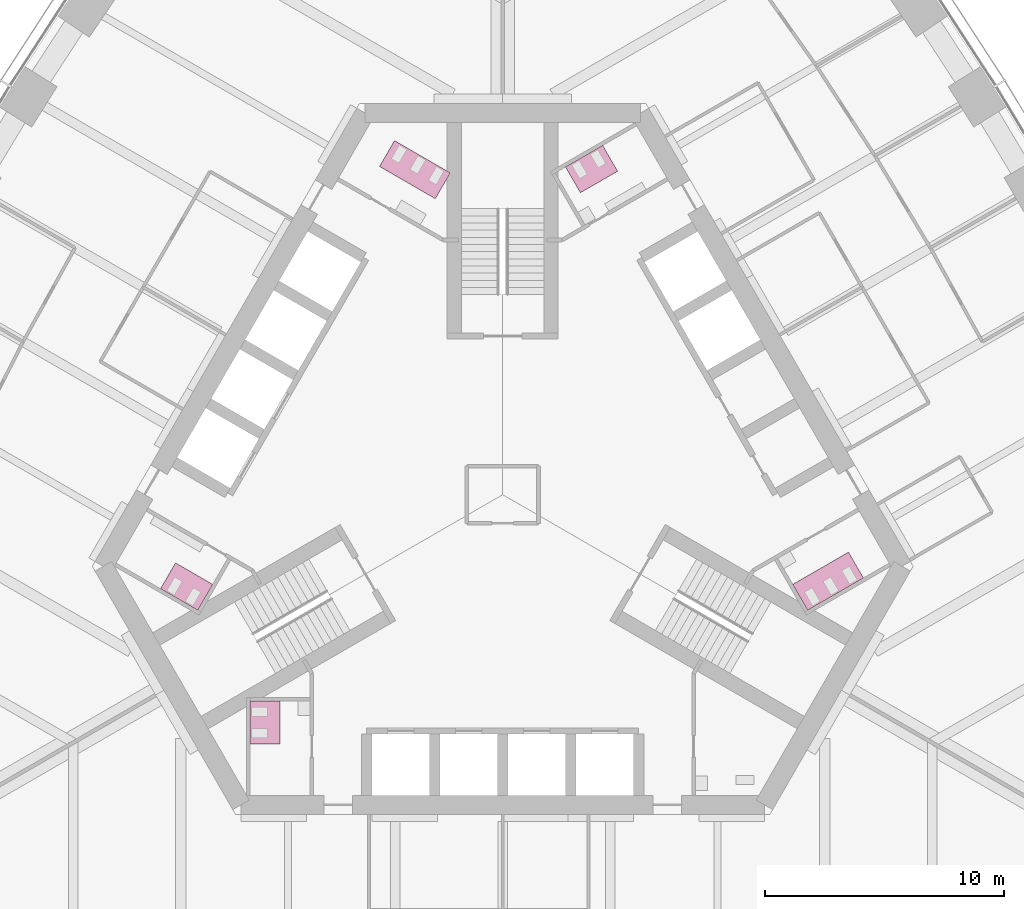
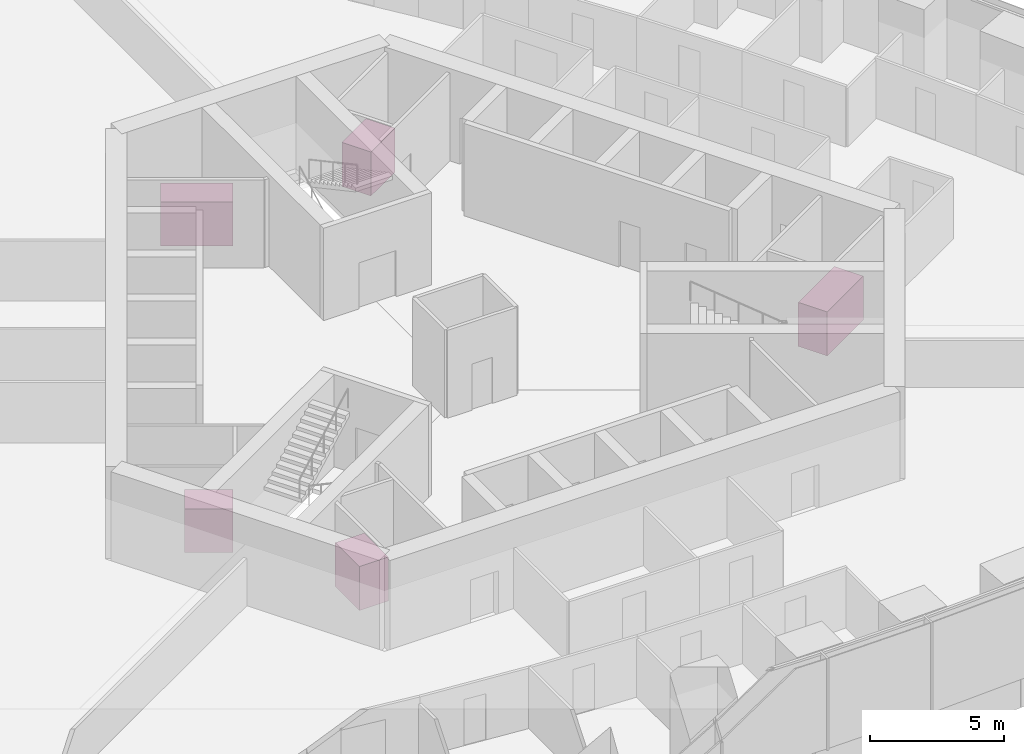
# One storey, part 18 of 18: 5 furniture elements.
"""IFC4 building model written with IfcOpenShell, lengths in metres."""

from ifc_helpers import new_model, si_unit, direction, frame, origin, place, context, subcontext, project, spatial, polyline, outline, extrude, material, type_object, element, save


model = new_model("IFC4")

# Units and contexts
model_context = context("Model", 3, precision=1e-05, world=origin(), true_north=direction((0.0, 1.0)))
body_context = subcontext(model_context, "Body", "Model", "MODEL_VIEW")
ifc_project = project(units=[si_unit("LENGTHUNIT", "METRE"), si_unit("AREAUNIT", "SQUARE_METRE"), si_unit("VOLUMEUNIT", "CUBIC_METRE"), si_unit("PLANEANGLEUNIT", "RADIAN"), si_unit("MASSUNIT", "GRAM", prefix="KILO")], contexts=[model_context])

# Site, building, storey
site_placement = place(None, origin())
site = spatial("IfcSite", under=ifc_project, at=site_placement, CompositionType="ELEMENT")
building_placement = place(site_placement, origin())
building = spatial("IfcBuilding", under=site, at=building_placement, Name="Trefoil Bronze Tower", CompositionType="ELEMENT")
storey_placement = place(building_placement, frame((0.0, 0.0, 157.699951171875)))
storey = spatial("IfcBuildingStorey", under=building, at=storey_placement, Name="L36", CompositionType="ELEMENT", Elevation=157.699951171875)

# Furniture
ifc_material_1 = material(Name="Compact laminate cubicles", Category="plastic")
furniture_type_1 = type_object("IfcFurnitureType", Name="WC cubicle range 2 cubicles", AssemblyPlace="FACTORY", PredefinedType="USERDEFINED", material=ifc_material_1)
furniture_1_placement = place(storey_placement, origin())
element("IfcFurniture", 1, at=furniture_1_placement, inside=storey, type_object=furniture_type_1, Name="WC cubicle range WC (men) L36", ObjectType="WC cubicle range", PredefinedType="USERDEFINED", context=body_context, shape_type="SweptSolid", body=[
    extrude(outline(polyline([(3.256591796875, 12.659423828125), (2.631591796875, 13.741943359375), (4.1904296875, 14.641845703125), (4.8154296875, 13.559326171875), (3.256591796875, 12.659423828125)])), origin(), (0.0, 0.0, 1.0), 2.0),
])
furniture_2_placement = place(storey_placement, origin())
element("IfcFurniture", 2, at=furniture_2_placement, inside=storey, type_object=furniture_type_1, Name="WC cubicle range WC (men) L36", ObjectType="WC cubicle range", PredefinedType="USERDEFINED", context=body_context, shape_type="SweptSolid", body=[
    extrude(outline(polyline([(-12.15869140625, -3.75927734375), (-12.78369140625, -4.841796875), (-14.342529296875, -3.94189453125), (-13.717529296875, -2.859375), (-12.15869140625, -3.75927734375)])), origin(), (0.0, 0.0, 1.0), 2.0),
])
furniture_3_placement = place(storey_placement, origin())
element("IfcFurniture", 3, at=furniture_3_placement, inside=storey, type_object=furniture_type_1, Name="WC cubicle range WC (women) L36", ObjectType="WC cubicle range", PredefinedType="USERDEFINED", context=body_context, shape_type="SweptSolid", body=[
    extrude(outline(polyline([(-9.3349609375, -8.64990234375), (-10.5849609375, -8.64990234375), (-10.5849609375, -10.449951171875), (-9.3349609375, -10.449951171875), (-9.3349609375, -8.64990234375)])), origin(), (0.0, 0.0, 1.0), 2.0),
])
ifc_material_2 = material(Name="Compact laminate cubicles", Category="plastic")
furniture_type_2 = type_object("IfcFurnitureType", Name="WC cubicle range 3 cubicles", AssemblyPlace="FACTORY", PredefinedType="USERDEFINED", material=ifc_material_2)
furniture_4_placement = place(storey_placement, origin())
element("IfcFurniture", 4, at=furniture_4_placement, inside=storey, type_object=furniture_type_2, Name="WC cubicle range WC (women) L36", ObjectType="WC cubicle range", PredefinedType="USERDEFINED", context=body_context, shape_type="SweptSolid", body=[
    extrude(outline(polyline([(12.15869140625, -3.75927734375), (12.78369140625, -4.841796875), (15.121826171875, -3.491943359375), (14.496826171875, -2.409423828125), (12.15869140625, -3.75927734375)])), origin(), (0.0, 0.0, 1.0), 2.0),
])
furniture_5_placement = place(storey_placement, origin())
element("IfcFurniture", 5, at=furniture_5_placement, inside=storey, type_object=furniture_type_2, Name="WC cubicle range WC (women) L36", ObjectType="WC cubicle range", PredefinedType="USERDEFINED", context=body_context, shape_type="SweptSolid", body=[
    extrude(outline(polyline([(-2.82373046875, 12.409423828125), (-2.19873046875, 13.491943359375), (-4.536865234375, 14.841796875), (-5.161865234375, 13.75927734375), (-2.82373046875, 12.409423828125)])), origin(), (0.0, 0.0, 1.0), 2.0),
])

save(model, "model.ifc")
